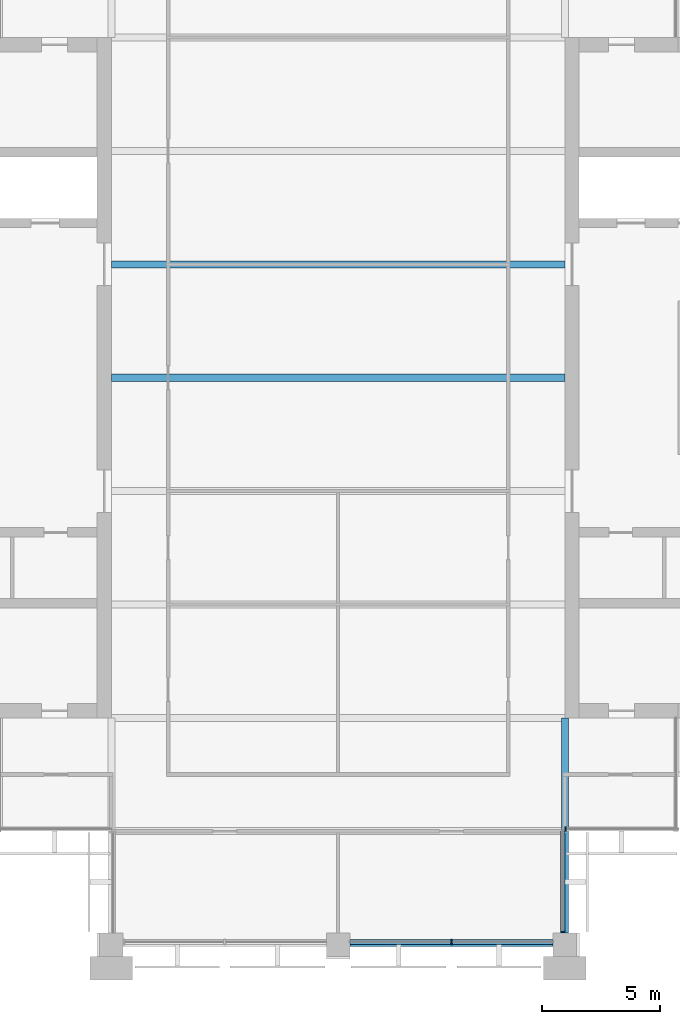
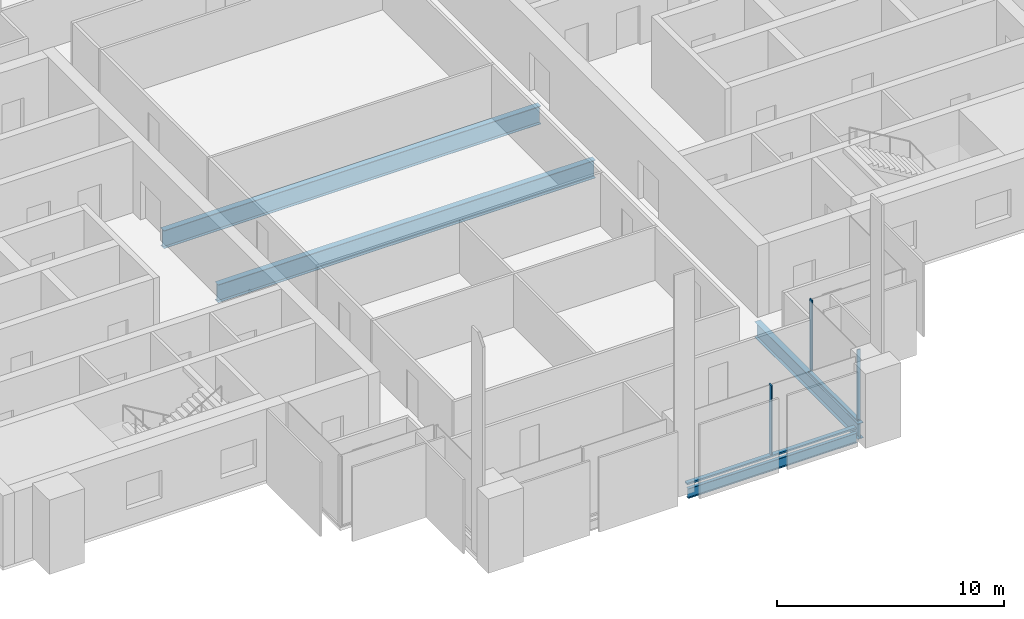
# One storey, part 3 of 12: 5 members, 4 beams, 3 elements without a shape of their own.
"""IFC4 building model written with IfcOpenShell, lengths in metres."""

from ifc_helpers import new_model, si_unit, direction, frame, origin, origin_2d, place, context, subcontext, project, spatial, rectangle, i_section, extrude, material, material_profile, profile_set, type_object, element, aggregate, save


model = new_model("IFC4")

# Units and contexts
model_context = context("Model", 3, precision=1e-05, world=origin(), true_north=direction((0.0, 1.0)))
body_context = subcontext(model_context, "Body", "Model", "MODEL_VIEW")
ifc_project = project(units=[si_unit("LENGTHUNIT", "METRE"), si_unit("AREAUNIT", "SQUARE_METRE"), si_unit("VOLUMEUNIT", "CUBIC_METRE"), si_unit("PLANEANGLEUNIT", "RADIAN"), si_unit("MASSUNIT", "GRAM", prefix="KILO")], contexts=[model_context])

# Site, building, storey
site_placement = place(None, origin())
site = spatial("IfcSite", under=ifc_project, at=site_placement, CompositionType="ELEMENT")
building_placement = place(site_placement, origin())
building = spatial("IfcBuilding", under=site, at=building_placement, Name="Baori Bourse Tower", CompositionType="ELEMENT")
storey_placement = place(building_placement, frame((0.0, 0.0, 342.300048828125)))
storey = spatial("IfcBuildingStorey", under=building, at=storey_placement, Name="L76", CompositionType="ELEMENT", Elevation=342.300048828125)

# Curtain wall, member
ifc_material_1 = material(Name="Pale anodised aluminium", Category="aluminium")
curtain_wall_type_1 = type_object("IfcCurtainWallType", Name="CW2 Curtain wall", PredefinedType="NOTDEFINED", material=ifc_material_1)
curtain_wall_1_placement = place(storey_placement, origin())
curtain_wall_1 = element("IfcCurtainWall", 1, at=curtain_wall_1_placement, inside=storey, type_object=curtain_wall_type_1, Name="Curtain wall CW2 L76 12", PredefinedType="NOTDEFINED")
ifc_material_2 = material(Name="Pale anodised aluminium", Category="aluminium")
ifc_material_profile_1 = material_profile(ifc_material_2, rectangle(XDim=0.179931640625, YDim=0.054931640625, at=origin_2d()), Name="Mullion 55x180")
ifc_profile_set_1 = profile_set([ifc_material_profile_1], Name="Pale anodised aluminium")
member_type_1 = type_object("IfcMemberType", Name="CW2 Curtain wall mullion", PredefinedType="MULLION", material=ifc_profile_set_1)
member_1_placement = place(storey_placement, frame((38.31005859375, 0.527587890625, 0.070068359375), z_axis=(0.0, 0.0, 1.0), x_axis=(-1.0, 0.0, 0.0)))
member_1 = element("IfcMember", 2, at=member_1_placement, type_object=member_type_1, Name="Curtain wall CW2 mullion", PredefinedType="MULLION", context=body_context, shape_type="SweptSolid", body=[
    extrude(rectangle(XDim=0.179931640625, YDim=0.054931640625, at=origin_2d()), origin(), (0.0, 0.0, 1.0), 3.769775390625),
])

curtain_wall_2_placement = place(storey_placement, origin())
curtain_wall_2 = element("IfcCurtainWall", 3, at=curtain_wall_2_placement, inside=storey, type_object=curtain_wall_type_1, Name="Curtain wall CW2 L76 13", PredefinedType="NOTDEFINED")
member_2_placement = place(storey_placement, frame((38.427490234375, 4.889892578125, 0.070068359375), z_axis=(0.0, 0.0, 1.0), x_axis=(0.0, 1.0, 0.0)))
member_2 = element("IfcMember", 4, at=member_2_placement, type_object=member_type_1, Name="Curtain wall CW2 mullion", PredefinedType="MULLION", context=body_context, shape_type="SweptSolid", body=[
    extrude(rectangle(XDim=0.179931640625, YDim=0.054931640625, at=origin_2d()), origin(), (0.0, 0.0, 1.0), 3.769775390625),
])
aggregate(curtain_wall_2, [member_2])

# Member
ifc_material_3 = material(Name="Pale anodised aluminium", Category="aluminium")
ifc_material_profile_2 = material_profile(ifc_material_3, rectangle(XDim=0.179931640625, YDim=0.070068359375, at=origin_2d()), Name="Transom 70x180")
ifc_profile_set_2 = profile_set([ifc_material_profile_2], Name="Pale anodised aluminium")
member_type_2 = type_object("IfcMemberType", Name="CW2 Curtain wall transom", PredefinedType="USERDEFINED", material=ifc_profile_set_2)
member_3_placement = place(storey_placement, frame((38.31005859375, 0.5, 0.034912109375), z_axis=(0.0, 1.0, 0.0), x_axis=(-1.0, 0.0, 0.0)))
member_3 = element("IfcMember", 5, at=member_3_placement, type_object=member_type_2, Name="Curtain wall CW2 sill rail", ObjectType="TRANSOM", PredefinedType="USERDEFINED", context=body_context, shape_type="SweptSolid", body=[
    extrude(rectangle(XDim=0.179931640625, YDim=0.070068359375, at=origin_2d()), origin(), (0.0, 0.0, 1.0), 4.300048828125),
])

aggregate(curtain_wall_1, [member_3, member_1])

# Curtain wall, members
ifc_material_4 = material(Name="Pale anodised aluminium", Category="aluminium")
curtain_wall_type_2 = type_object("IfcCurtainWallType", Name="CW5 Curtain wall", PredefinedType="NOTDEFINED", material=ifc_material_4)
curtain_wall_3_placement = place(storey_placement, origin())
curtain_wall_3 = element("IfcCurtainWall", 6, at=curtain_wall_3_placement, inside=storey, type_object=curtain_wall_type_2, Name="Curtain wall CW5 L76 11", PredefinedType="NOTDEFINED")
ifc_material_5 = material(Name="Pale anodised aluminium", Category="aluminium")
ifc_material_profile_3 = material_profile(ifc_material_5, rectangle(XDim=0.219970703125, YDim=0.06494140625, at=origin_2d()), Name="Mullion 65x220")
ifc_profile_set_3 = profile_set([ifc_material_profile_3], Name="Pale anodised aluminium")
member_type_3 = type_object("IfcMemberType", Name="CW5 Curtain wall mullion", PredefinedType="MULLION", material=ifc_profile_set_3)
member_4_placement = place(storey_placement, frame((33.60009765625, 0.110107421875, 0.0849609375), z_axis=(0.0, 0.0, 1.0), x_axis=(0.0, 1.0, 0.0)))
member_4 = element("IfcMember", 7, at=member_4_placement, type_object=member_type_3, Name="Curtain wall CW5 mullion", PredefinedType="MULLION", context=body_context, shape_type="SweptSolid", body=[
    extrude(rectangle(XDim=0.219970703125, YDim=0.06494140625, at=origin_2d()), origin(), (0.0, 0.0, 1.0), 3.7548828125),
])
ifc_material_6 = material(Name="Pale anodised aluminium", Category="aluminium")
ifc_material_profile_4 = material_profile(ifc_material_6, rectangle(XDim=0.219970703125, YDim=0.0849609375, at=origin_2d()), Name="Transom 85x220")
ifc_profile_set_4 = profile_set([ifc_material_profile_4], Name="Pale anodised aluminium")
member_type_4 = type_object("IfcMemberType", Name="CW5 Curtain wall transom", PredefinedType="USERDEFINED", material=ifc_profile_set_4)
member_5_placement = place(storey_placement, frame((29.300048828125, 0.110107421875, 0.04248046875), z_axis=(1.0, 0.0, 0.0), x_axis=(0.0, 1.0, 0.0)))
member_5 = element("IfcMember", 8, at=member_5_placement, type_object=member_type_4, Name="Curtain wall CW5 sill rail", ObjectType="TRANSOM", PredefinedType="USERDEFINED", context=body_context, shape_type="SweptSolid", body=[
    extrude(rectangle(XDim=0.219970703125, YDim=0.0849609375, at=origin_2d()), origin(), (0.0, 0.0, 1.0), 8.599853515625),
])
aggregate(curtain_wall_3, [member_5, member_4])

# Beams
ifc_material_7 = material(Name="Steel A992 Gr 50", Category="steel")
ifc_material_profile_5 = material_profile(ifc_material_7, i_section(OverallWidth=0.1650390625, OverallDepth=0.52587890625, WebThickness=0.0087890625, FlangeThickness=0.011474609375, at=origin_2d()), Name="W21x44")
ifc_profile_set_5 = profile_set([ifc_material_profile_5], Name="Steel A992 Gr 50")
beam_type_1 = type_object("IfcBeamType", Name="Edge beam W21x44", PredefinedType="BEAM", material=ifc_profile_set_5)
beam_1_placement = place(storey_placement, frame((29.300048828125, 0.0, -0.4228515625), z_axis=(1.0, 0.0, 0.0), x_axis=(0.0, 1.0, 0.0)))
element("IfcBeam", 9, at=beam_1_placement, inside=storey, type_object=beam_type_1, Name="Edge beam L76", PredefinedType="BEAM", context=body_context, shape_type="SweptSolid", body=[
    extrude(i_section(OverallWidth=0.1650390625, OverallDepth=0.52587890625, WebThickness=0.0087890625, FlangeThickness=0.011474609375, at=origin_2d()), origin(), (0.0, 0.0, 1.0), 8.599853515625),
])
ifc_material_8 = material(Name="Steel A992 Gr 50", Category="steel")
ifc_material_profile_6 = material_profile(ifc_material_8, i_section(OverallWidth=0.2998046875, OverallDepth=0.97021484375, WebThickness=0.01611328125, FlangeThickness=0.02099609375, at=origin_2d()), Name="W40x149")
ifc_profile_set_6 = profile_set([ifc_material_profile_6], Name="Steel A992 Gr 50")
beam_type_2 = type_object("IfcBeamType", Name="Floor beam W40x149", PredefinedType="BEAM", material=ifc_profile_set_6)
for number, where, z_axis, x_axis, name in (
    (10, (19.199951171875, 24.0, -0.645263671875), (1.0, 0.0, 0.0), (0.0, 1.0, 0.0), "Floor beam L76"),
    (11, (19.199951171875, 28.800048828125, -0.645263671875), (1.0, 0.0, 0.0), (0.0, 1.0, 0.0), "Floor beam L76"),
):
    element("IfcBeam", number, at=place(storey_placement, frame(where, z_axis=z_axis, x_axis=x_axis)), inside=storey, type_object=beam_type_2, Name=name, PredefinedType="BEAM", context=body_context, shape_type="SweptSolid", body=[
        extrude(i_section(OverallWidth=0.2998046875, OverallDepth=0.97021484375, WebThickness=0.01611328125, FlangeThickness=0.02099609375, at=origin_2d()), origin(), (0.0, 0.0, 1.0), 19.199951171875),
    ])
ifc_material_9 = material(Name="Steel A992 Gr 50", Category="steel")
ifc_material_profile_7 = material_profile(ifc_material_9, i_section(OverallWidth=0.2919921875, OverallDepth=0.835693359375, WebThickness=0.013916015625, FlangeThickness=0.018798828125, at=origin_2d()), Name="W33x118")
ifc_profile_set_7 = profile_set([ifc_material_profile_7], Name="Steel A992 Gr 50")
beam_type_3 = type_object("IfcBeamType", Name="Girder W33x118", PredefinedType="BEAM", material=ifc_profile_set_7)
beam_2_placement = place(storey_placement, frame((38.39990234375, 0.5, -0.577880859375), z_axis=(0.0, 1.0, 0.0), x_axis=(-1.0, 0.0, 0.0)))
element("IfcBeam", 12, at=beam_2_placement, inside=storey, type_object=beam_type_3, Name="Girder L76", PredefinedType="BEAM", context=body_context, shape_type="SweptSolid", body=[
    extrude(i_section(OverallWidth=0.2919921875, OverallDepth=0.835693359375, WebThickness=0.013916015625, FlangeThickness=0.018798828125, at=origin_2d()), origin(), (0.0, 0.0, 1.0), 9.10009765625),
])

save(model, "model.ifc")
